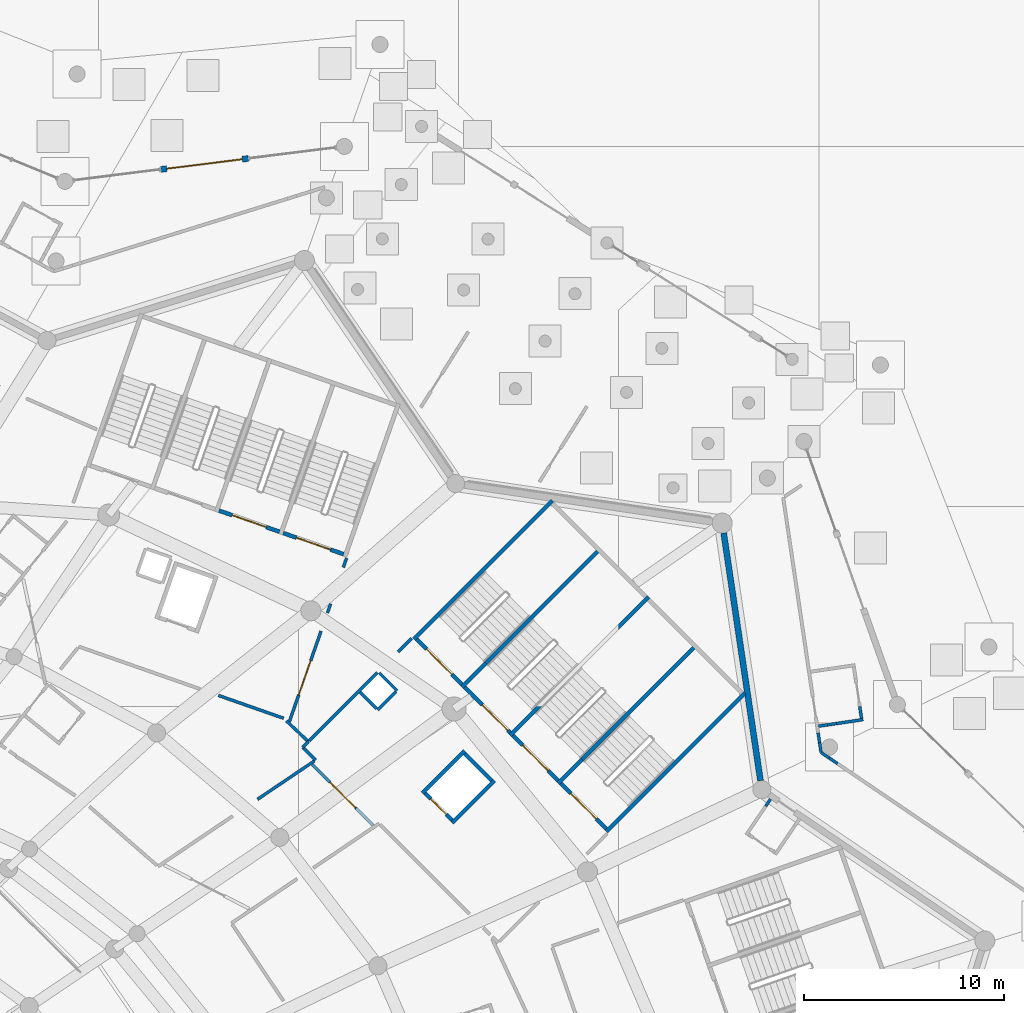
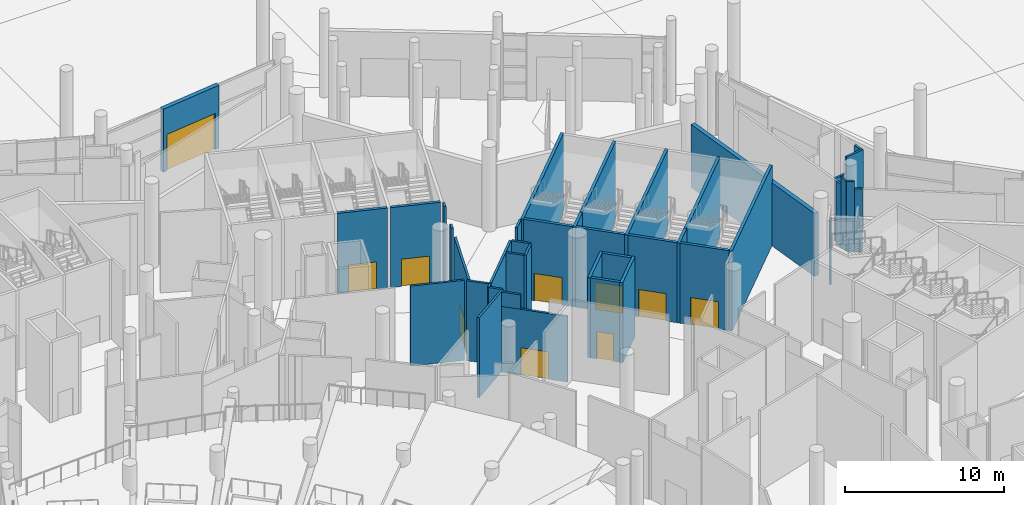
# One storey, part 155 of 255: 43 walls, 10 doors, 10 openings.
"""IFC4 building model written with IfcOpenShell, lengths in metres."""

from ifc_helpers import new_model, si_unit, direction, frame, frame_2d, origin, place, context, subcontext, project, spatial, rectangle, extrude, material, layer, layer_set, type_object, element, fill, save


model = new_model("IFC4")

# Units and contexts
model_context = context("Model", 3, precision=1e-05, world=origin(), true_north=direction((0.0, 1.0)))
body_context = subcontext(model_context, "Body", "Model", "MODEL_VIEW")
ifc_project = project(units=[si_unit("LENGTHUNIT", "METRE"), si_unit("AREAUNIT", "SQUARE_METRE"), si_unit("VOLUMEUNIT", "CUBIC_METRE"), si_unit("PLANEANGLEUNIT", "RADIAN"), si_unit("MASSUNIT", "GRAM", prefix="KILO")], contexts=[model_context])

# Site, building, storey
site_placement = place(None, origin())
site = spatial("IfcSite", under=ifc_project, at=site_placement, CompositionType="ELEMENT")
building_placement = place(site_placement, origin())
building = spatial("IfcBuilding", under=site, at=building_placement, Name="Meseta Stadium", CompositionType="ELEMENT")
storey_placement = place(building_placement, origin())
storey = spatial("IfcBuildingStorey", under=building, at=storey_placement, Name="L00", CompositionType="ELEMENT", Elevation=0.0)

# Walls
ifc_material_1 = material(Name="Concrete C40/50", Category="concrete")
ifc_layer_1 = layer(ifc_material_1, 0.199951171875)
ifc_layer_set_1 = layer_set([ifc_layer_1], Name="Core divider wall 200")
wall_type_1 = type_object("IfcWallType", Name="Core divider wall 200", PredefinedType="SHEAR", material=ifc_layer_set_1)
wall_1_placement = place(storey_placement, frame((83.90087890625, 83.092529296875, 0.0), z_axis=(0.0, 0.0, 1.0), x_axis=(-0.707106781187, -0.707106781187, 0.0)))
element("IfcWall", 1, at=wall_1_placement, inside=storey, type_object=wall_type_1, Name="Core 07 L00 stair A divider wall", PredefinedType="SHEAR", context=body_context, shape_type="SweptSolid", body=[
    extrude(rectangle(XDim=8.099853515625, YDim=0.199951171875, at=frame_2d((4.0498046875, 0.0))), origin(), (0.0, 0.0, 1.0), 6.14990234375),
])
wall_2_placement = place(storey_placement, frame((78.17333984375, 77.364990234375, 0.0), z_axis=(0.0, 0.0, 1.0), x_axis=(-0.707178586901, -0.707034968179, 0.0)))
element("IfcWall", 2, at=wall_2_placement, inside=storey, type_object=wall_type_1, Name="Core 07 L00 stair A divider wall", PredefinedType="SHEAR", context=body_context, shape_type="SweptSolid", body=[
    extrude(rectangle(XDim=1.699951171875, YDim=0.199951171875, at=frame_2d((0.85009765625, 0.0))), origin(), (0.0, 0.0, 1.0), 6.14990234375),
])
wall_3_placement = place(storey_placement, frame((79.092529296875, 87.90087890625, 0.0), z_axis=(0.0, 0.0, 1.0), x_axis=(-0.707106781187, -0.707106781187, 0.0)))
element("IfcWall", 3, at=wall_3_placement, inside=storey, type_object=wall_type_1, Name="Core 07 L00 stair B divider wall", PredefinedType="SHEAR", context=body_context, shape_type="SweptSolid", body=[
    extrude(rectangle(XDim=8.099853515625, YDim=0.199951171875, at=frame_2d((4.0498046875, 0.0))), origin(), (0.0, 0.0, 1.0), 6.14990234375),
])
wall_4_placement = place(storey_placement, frame((73.364990234375, 82.17333984375, 0.0), z_axis=(0.0, 0.0, 1.0), x_axis=(-0.707034968179, -0.707178586901, 0.0)))
element("IfcWall", 4, at=wall_4_placement, inside=storey, type_object=wall_type_1, Name="Core 07 L00 stair B divider wall", PredefinedType="SHEAR", context=body_context, shape_type="SweptSolid", body=[
    extrude(rectangle(XDim=1.699951171875, YDim=0.199951171875, at=frame_2d((0.85009765625, 0.0))), origin(), (0.0, 0.0, 1.0), 6.14990234375),
])
ifc_material_2 = material(Name="Concrete C40/50", Category="concrete")
ifc_layer_2 = layer(ifc_material_2, 0.199951171875)
ifc_layer_set_2 = layer_set([ifc_layer_2], Name="Core shaft wall 200")
wall_type_2 = type_object("IfcWallType", Name="Core shaft wall 200", PredefinedType="SHEAR", material=ifc_layer_set_2)
for number, where, z_axis, x_axis, name in (
    (5, (86.30517578125, 80.6884765625, 0.0), (0.0, 0.0, 1.0), (-0.707106781187, -0.707106781187, 0.0), "Core 07 L00 stair wall A-side"),
    (6, (81.496826171875, 85.496826171875, 0.0), (0.0, 0.0, 1.0), (-0.707106781187, -0.707106781187, 0.0), "Core 07 L00 stair wall shared"),
    (7, (76.6884765625, 90.30517578125, 0.0), (0.0, 0.0, 1.0), (-0.707106781187, -0.707106781187, 0.0), "Core 07 L00 stair wall B-side"),
):
    element("IfcWall", number, at=place(storey_placement, frame(where, z_axis=z_axis, x_axis=x_axis)), inside=storey, type_object=wall_type_2, Name=name, PredefinedType="SHEAR", context=body_context, shape_type="SweptSolid", body=[
        extrude(rectangle(XDim=9.800048828125, YDim=0.199951171875, at=frame_2d((4.89990234375, 0.0))), origin(), (0.0, 0.0, 1.0), 6.14990234375),
    ])

# Wall, opening, door
wall_5_placement = place(storey_placement, frame((79.37548828125, 73.900146484375, 0.0), z_axis=(0.0, 0.0, 1.0), x_axis=(-0.707068634461, 0.707144925854, 0.0)))
wall_5 = element("IfcWall", 8, at=wall_5_placement, inside=storey, type_object=wall_type_2, Name="Core 07 L00 stair A1 inner end wall", PredefinedType="SHEAR", context=body_context, shape_type="SweptSolid", body=[
    extrude(rectangle(XDim=3.2001953125, YDim=0.199951171875, at=frame_2d((1.60009765625, 0.0))), origin(), (0.0, 0.0, 1.0), 6.14990234375),
])
opening_1_placement = place(wall_5_placement, frame((0.699951171875, 0.0, 0.0)))
opening_1 = element("IfcOpeningElement", 9, at=opening_1_placement, cuts=wall_5, Name="Opening D107", PredefinedType="OPENING", context=body_context, shape_type="SweptSolid", body=[
    extrude(rectangle(XDim=1.800048828125, YDim=2.10009765625, at=frame_2d((0.89990234375, 1.050048828125))), frame((0.0, 0.10986328125, 0.0), z_axis=(0.0, -1.0, 0.0), x_axis=(1.0, 0.0, 0.0)), (0.0, 0.0, 1.0), 0.219970703125),
])
ifc_material_3 = material(Name="Steel", Category="steel")
door_type_1 = type_object("IfcDoorType", Name="Stair door 1800x2100", OperationType="DOUBLE_DOOR_SINGLE_SWING", PredefinedType="DOOR", material=ifc_material_3)
door_1_placement = place(opening_1_placement, origin())
door_1 = element("IfcDoor", 10, at=door_1_placement, inside=storey, type_object=door_type_1, Name="Stair A1 door 07 L00", OperationType="DOUBLE_DOOR_SINGLE_SWING", OverallHeight=2.10009765625, OverallWidth=1.800048828125, PredefinedType="DOOR", context=body_context, shape_type="SweptSolid", body=[
    extrude(rectangle(XDim=1.800048828125, YDim=2.10009765625, at=frame_2d((0.89990234375, 1.050048828125))), frame((0.0, 0.02490234375, 0.0), z_axis=(0.0, -1.0, 0.0), x_axis=(1.0, 0.0, 0.0)), (0.0, 0.0, 1.0), 0.050048828125),
])
fill(opening_1, door_1)

wall_6_placement = place(storey_placement, frame((76.97119140625, 76.304443359375, 0.0), z_axis=(0.0, 0.0, 1.0), x_axis=(-0.707106781187, 0.707106781187, 0.0)))
wall_6 = element("IfcWall", 11, at=wall_6_placement, inside=storey, type_object=wall_type_2, Name="Core 07 L00 stair A2 inner end wall", PredefinedType="SHEAR", context=body_context, shape_type="SweptSolid", body=[
    extrude(rectangle(XDim=3.199951171875, YDim=0.199951171875, at=frame_2d((1.60009765625, 0.0))), origin(), (0.0, 0.0, 1.0), 6.14990234375),
])
opening_2_placement = place(wall_6_placement, frame((0.699951171875, 0.0, 0.0)))
opening_2 = element("IfcOpeningElement", 12, at=opening_2_placement, cuts=wall_6, Name="Opening D108", PredefinedType="OPENING", context=body_context, shape_type="SweptSolid", body=[
    extrude(rectangle(XDim=1.800048828125, YDim=2.10009765625, at=frame_2d((0.89990234375, 1.050048828125))), frame((0.0, 0.10986328125, 0.0), z_axis=(0.0, -1.0, 0.0), x_axis=(1.0, 0.0, 0.0)), (0.0, 0.0, 1.0), 0.219970703125),
])
door_2_placement = place(opening_2_placement, origin())
door_2 = element("IfcDoor", 13, at=door_2_placement, inside=storey, type_object=door_type_1, Name="Stair A2 door 07 L00", OperationType="DOUBLE_DOOR_SINGLE_SWING", OverallHeight=2.10009765625, OverallWidth=1.800048828125, PredefinedType="DOOR", context=body_context, shape_type="SweptSolid", body=[
    extrude(rectangle(XDim=1.800048828125, YDim=2.10009765625, at=frame_2d((0.89990234375, 1.050048828125))), frame((0.0, 0.02490234375, 0.0), z_axis=(0.0, -1.0, 0.0), x_axis=(1.0, 0.0, 0.0)), (0.0, 0.0, 1.0), 0.050048828125),
])
fill(opening_2, door_2)

wall_7_placement = place(storey_placement, frame((74.567138671875, 78.70849609375, 0.0), z_axis=(0.0, 0.0, 1.0), x_axis=(-0.707106781187, 0.707106781187, 0.0)))
wall_7 = element("IfcWall", 14, at=wall_7_placement, inside=storey, type_object=wall_type_2, Name="Core 07 L00 stair B1 inner end wall", PredefinedType="SHEAR", context=body_context, shape_type="SweptSolid", body=[
    extrude(rectangle(XDim=3.199951171875, YDim=0.199951171875, at=frame_2d((1.60009765625, 0.0))), origin(), (0.0, 0.0, 1.0), 6.14990234375),
])
opening_3_placement = place(wall_7_placement, frame((0.14990234375, 0.0, 0.0)))
opening_3 = element("IfcOpeningElement", 15, at=opening_3_placement, cuts=wall_7, Name="Opening D109", PredefinedType="OPENING", context=body_context, shape_type="SweptSolid", body=[
    extrude(rectangle(XDim=1.800048828125, YDim=2.10009765625, at=frame_2d((0.89990234375, 1.050048828125))), frame((0.0, 0.10986328125, 0.0), z_axis=(0.0, -1.0, 0.0), x_axis=(1.0, 0.0, 0.0)), (0.0, 0.0, 1.0), 0.219970703125),
])
door_3_placement = place(opening_3_placement, origin())
door_3 = element("IfcDoor", 16, at=door_3_placement, inside=storey, type_object=door_type_1, Name="Stair B1 door 07 L00", OperationType="DOUBLE_DOOR_SINGLE_SWING", OverallHeight=2.10009765625, OverallWidth=1.800048828125, PredefinedType="DOOR", context=body_context, shape_type="SweptSolid", body=[
    extrude(rectangle(XDim=1.800048828125, YDim=2.10009765625, at=frame_2d((0.89990234375, 1.050048828125))), frame((0.0, 0.02490234375, 0.0), z_axis=(0.0, -1.0, 0.0), x_axis=(1.0, 0.0, 0.0)), (0.0, 0.0, 1.0), 0.050048828125),
])
fill(opening_3, door_3)

wall_8_placement = place(storey_placement, frame((72.1630859375, 81.11279296875, 0.0), z_axis=(0.0, 0.0, 1.0), x_axis=(-0.707144925854, 0.707068634461, 0.0)))
wall_8 = element("IfcWall", 17, at=wall_8_placement, inside=storey, type_object=wall_type_2, Name="Core 07 L00 stair B2 inner end wall", PredefinedType="SHEAR", context=body_context, shape_type="SweptSolid", body=[
    extrude(rectangle(XDim=3.2001953125, YDim=0.199951171875, at=frame_2d((1.60009765625, 0.0))), origin(), (0.0, 0.0, 1.0), 6.14990234375),
])
opening_4_placement = place(wall_8_placement, frame((0.699951171875, 0.0, 0.0)))
opening_4 = element("IfcOpeningElement", 18, at=opening_4_placement, cuts=wall_8, Name="Opening D110", PredefinedType="OPENING", context=body_context, shape_type="SweptSolid", body=[
    extrude(rectangle(XDim=1.800048828125, YDim=2.10009765625, at=frame_2d((0.89990234375, 1.050048828125))), frame((0.0, 0.10986328125, 0.0), z_axis=(0.0, -1.0, 0.0), x_axis=(1.0, 0.0, 0.0)), (0.0, 0.0, 1.0), 0.219970703125),
])
door_4_placement = place(opening_4_placement, origin())
door_4 = element("IfcDoor", 19, at=door_4_placement, inside=storey, type_object=door_type_1, Name="Stair B2 door 07 L00", OperationType="DOUBLE_DOOR_SINGLE_SWING", OverallHeight=2.10009765625, OverallWidth=1.800048828125, PredefinedType="DOOR", context=body_context, shape_type="SweptSolid", body=[
    extrude(rectangle(XDim=1.800048828125, YDim=2.10009765625, at=frame_2d((0.89990234375, 1.050048828125))), frame((0.0, 0.02490234375, 0.0), z_axis=(0.0, -1.0, 0.0), x_axis=(1.0, 0.0, 0.0)), (0.0, 0.0, 1.0), 0.050048828125),
])
fill(opening_4, door_4)

# Walls
for number, where, z_axis, x_axis, name in (
    (20, (73.796875, 76.311767578125, 0.0), (0.0, 0.0, 1.0), (-0.707106781187, -0.707106781187, 0.0), "Core 07 L00 lift shaft wall left"),
    (21, (72.311767578125, 77.796875, 0.0), (0.0, 0.0, 1.0), (-0.707106781187, -0.707106781187, 0.0), "Core 07 L00 lift shaft wall right"),
):
    element("IfcWall", number, at=place(storey_placement, frame(where, z_axis=z_axis, x_axis=x_axis)), inside=storey, type_object=wall_type_2, Name=name, PredefinedType="SHEAR", context=body_context, shape_type="SweptSolid", body=[
        extrude(rectangle(XDim=3.0, YDim=0.199951171875, at=frame_2d((1.5, 0.0))), origin(), (0.0, 0.0, 1.0), 6.14990234375),
    ])
wall_9_placement = place(storey_placement, frame((73.655517578125, 76.311767578125, 0.0), z_axis=(0.0, 0.0, 1.0), x_axis=(-0.707106781187, 0.707106781187, 0.0)))
element("IfcWall", 22, at=wall_9_placement, inside=storey, type_object=wall_type_2, Name="Core 07 L00 lift shaft back wall", PredefinedType="SHEAR", context=body_context, shape_type="SweptSolid", body=[
    extrude(rectangle(XDim=1.900390625, YDim=0.199951171875, at=frame_2d((0.9501953125, 0.0))), origin(), (0.0, 0.0, 1.0), 6.14990234375),
])

# Wall, opening, door
wall_10_placement = place(storey_placement, frame((71.675537109375, 74.331787109375, 0.0), z_axis=(0.0, 0.0, 1.0), x_axis=(-0.707106781187, 0.707106781187, 0.0)))
wall_10 = element("IfcWall", 23, at=wall_10_placement, inside=storey, type_object=wall_type_2, Name="Core 07 L00 lift shaft front wall", PredefinedType="SHEAR", context=body_context, shape_type="SweptSolid", body=[
    extrude(rectangle(XDim=1.900390625, YDim=0.199951171875, at=frame_2d((0.9501953125, 0.0))), origin(), (0.0, 0.0, 1.0), 6.14990234375),
])
opening_5_placement = place(wall_10_placement, frame((0.39990234375, 0.0, 0.0)))
opening_5 = element("IfcOpeningElement", 24, at=opening_5_placement, cuts=wall_10, Name="Opening LD38", PredefinedType="OPENING", context=body_context, shape_type="SweptSolid", body=[
    extrude(rectangle(XDim=1.10009765625, YDim=2.10009765625, at=frame_2d((0.550048828125, 1.050048828125))), frame((0.0, 0.10986328125, 0.0), z_axis=(0.0, -1.0, 0.0), x_axis=(1.0, 0.0, 0.0)), (0.0, 0.0, 1.0), 0.219970703125),
])
ifc_material_4 = material(Name="Steel", Category="steel")
door_type_2 = type_object("IfcDoorType", Name="Lift landing door 1100x2100", OperationType="SLIDING_TO_LEFT", PredefinedType="DOOR", material=ifc_material_4)
door_5_placement = place(opening_5_placement, origin())
door_5 = element("IfcDoor", 25, at=door_5_placement, inside=storey, type_object=door_type_2, Name="Lift landing door LD38", OperationType="SLIDING_TO_RIGHT", OverallHeight=2.10009765625, OverallWidth=1.10009765625, PredefinedType="DOOR", context=body_context, shape_type="SweptSolid", body=[
    extrude(rectangle(XDim=1.10009765625, YDim=2.10009765625, at=frame_2d((0.550048828125, 1.050048828125))), frame((0.0, 0.02490234375, 0.0), z_axis=(0.0, -1.0, 0.0), x_axis=(1.0, 0.0, 0.0)), (0.0, 0.0, 1.0), 0.050048828125),
])
fill(opening_5, door_5)

wall_11_placement = place(storey_placement, frame((66.26171875, 87.618896484375, 0.0), z_axis=(0.0, 0.0, 1.0), x_axis=(-0.943878576031, 0.330292648585, 0.0)))
wall_11 = element("IfcWall", 26, at=wall_11_placement, inside=storey, type_object=wall_type_2, Name="Core 08 L00 stair A1 inner end wall", PredefinedType="SHEAR", context=body_context, shape_type="SweptSolid", body=[
    extrude(rectangle(XDim=3.199951171875, YDim=0.199951171875, at=frame_2d((1.60009765625, 0.0))), origin(), (0.0, 0.0, 1.0), 6.14990234375),
])
opening_6_placement = place(wall_11_placement, frame((0.699951171875, 0.0, 0.0)))
opening_6 = element("IfcOpeningElement", 27, at=opening_6_placement, cuts=wall_11, Name="Opening D119", PredefinedType="OPENING", context=body_context, shape_type="SweptSolid", body=[
    extrude(rectangle(XDim=1.800048828125, YDim=2.10009765625, at=frame_2d((0.89990234375, 1.050048828125))), frame((0.0, 0.10986328125, 0.0), z_axis=(0.0, -1.0, 0.0), x_axis=(1.0, 0.0, 0.0)), (0.0, 0.0, 1.0), 0.219970703125),
])
door_6_placement = place(opening_6_placement, origin())
door_6 = element("IfcDoor", 28, at=door_6_placement, inside=storey, type_object=door_type_1, Name="Stair A1 door 08 L00", OperationType="DOUBLE_DOOR_SINGLE_SWING", OverallHeight=2.10009765625, OverallWidth=1.800048828125, PredefinedType="DOOR", context=body_context, shape_type="SweptSolid", body=[
    extrude(rectangle(XDim=1.800048828125, YDim=2.10009765625, at=frame_2d((0.89990234375, 1.050048828125))), frame((0.0, 0.02490234375, 0.0), z_axis=(0.0, -1.0, 0.0), x_axis=(1.0, 0.0, 0.0)), (0.0, 0.0, 1.0), 0.050048828125),
])
fill(opening_6, door_6)

wall_12_placement = place(storey_placement, frame((63.052490234375, 88.741943359375, 0.0), z_axis=(0.0, 0.0, 1.0), x_axis=(-0.943878576031, 0.330292648585, 0.0)))
wall_12 = element("IfcWall", 29, at=wall_12_placement, inside=storey, type_object=wall_type_2, Name="Core 08 L00 stair A2 inner end wall", PredefinedType="SHEAR", context=body_context, shape_type="SweptSolid", body=[
    extrude(rectangle(XDim=3.199951171875, YDim=0.199951171875, at=frame_2d((1.60009765625, 0.0))), origin(), (0.0, 0.0, 1.0), 6.14990234375),
])
opening_7_placement = place(wall_12_placement, frame((0.699951171875, 0.0, 0.0)))
opening_7 = element("IfcOpeningElement", 30, at=opening_7_placement, cuts=wall_12, Name="Opening D120", PredefinedType="OPENING", context=body_context, shape_type="SweptSolid", body=[
    extrude(rectangle(XDim=1.800048828125, YDim=2.10009765625, at=frame_2d((0.89990234375, 1.050048828125))), frame((0.0, 0.10986328125, 0.0), z_axis=(0.0, -1.0, 0.0), x_axis=(1.0, 0.0, 0.0)), (0.0, 0.0, 1.0), 0.219970703125),
])
door_7_placement = place(opening_7_placement, origin())
door_7 = element("IfcDoor", 31, at=door_7_placement, inside=storey, type_object=door_type_1, Name="Stair A2 door 08 L00", OperationType="DOUBLE_DOOR_SINGLE_SWING", OverallHeight=2.10009765625, OverallWidth=1.800048828125, PredefinedType="DOOR", context=body_context, shape_type="SweptSolid", body=[
    extrude(rectangle(XDim=1.800048828125, YDim=2.10009765625, at=frame_2d((0.89990234375, 1.050048828125))), frame((0.0, 0.02490234375, 0.0), z_axis=(0.0, -1.0, 0.0), x_axis=(1.0, 0.0, 0.0)), (0.0, 0.0, 1.0), 0.050048828125),
])
fill(opening_7, door_7)

# Walls
ifc_material_5 = material(Name="Masonry blockwork", Category="masonry")
ifc_layer_3 = layer(ifc_material_5, 0.14990234375)
ifc_layer_set_3 = layer_set([ifc_layer_3], Name="Partition 150")
wall_type_3 = type_object("IfcWallType", Name="Partition 150", PredefinedType="PARTITIONING", material=ifc_layer_set_3)
wall_13_placement = place(storey_placement, frame((60.00634765625, 80.5625, 0.0), z_axis=(0.0, 0.0, 1.0), x_axis=(0.943866077076, -0.33032836473, 0.0)))
element("IfcWall", 32, at=wall_13_placement, inside=storey, type_object=wall_type_3, Name="Partition L00 L00-cell06-1-0", PredefinedType="PARTITIONING", context=body_context, shape_type="SweptSolid", body=[
    extrude(rectangle(XDim=3.45068359375, YDim=0.14990234375, at=frame_2d((1.725341796875, 0.0))), origin(), (0.0, 0.0, 1.0), 6.14990234375),
])
wall_14_placement = place(storey_placement, frame((63.396240234375, 79.296630859375, 0.0), z_axis=(0.0, 0.0, 1.0), x_axis=(0.725626624964, -0.688088657909, 0.0)))
element("IfcWall", 33, at=wall_14_placement, inside=storey, type_object=wall_type_3, Name="Partition L00 L00-cell06-1-0", PredefinedType="PARTITIONING", context=body_context, shape_type="SweptSolid", body=[
    extrude(rectangle(XDim=1.515380859375, YDim=0.14990234375, at=frame_2d((0.7578125, 0.0))), origin(), (0.0, 0.0, 1.0), 6.14990234375),
])
wall_15_placement = place(storey_placement, frame((64.495849609375, 78.25390625, 0.0), z_axis=(0.0, 0.0, 1.0), x_axis=(-0.706798874946, -0.707414553409, 0.0)))
element("IfcWall", 34, at=wall_15_placement, inside=storey, type_object=wall_type_3, Name="Partition L00 L00-cell06-1-0", PredefinedType="PARTITIONING", context=body_context, shape_type="SweptSolid", body=[
    extrude(rectangle(XDim=0.396484375, YDim=0.14990234375, at=frame_2d((0.1982421875, 0.0))), origin(), (0.0, 0.0, 1.0), 6.14990234375),
])
wall_16_placement = place(storey_placement, frame((64.215576171875, 77.973388671875, 0.0), z_axis=(0.0, 0.0, 1.0), x_axis=(0.707106781187, -0.707106781187, 0.0)))
element("IfcWall", 35, at=wall_16_placement, inside=storey, type_object=wall_type_3, Name="Partition L00 L00-cell06-1-0", PredefinedType="PARTITIONING", context=body_context, shape_type="SweptSolid", body=[
    extrude(rectangle(XDim=0.907470703125, YDim=0.14990234375, at=frame_2d((0.45361328125, 0.0))), origin(), (0.0, 0.0, 1.0), 6.14990234375),
])
wall_17_placement = place(storey_placement, frame((64.793701171875, 77.2890625, 0.0), z_axis=(0.0, 0.0, 1.0), x_axis=(-0.828829640135, -0.559501052397, 0.0)))
element("IfcWall", 36, at=wall_17_placement, inside=storey, type_object=wall_type_3, Name="Partition L00 L00-cell06-1-0", PredefinedType="PARTITIONING", context=body_context, shape_type="SweptSolid", body=[
    extrude(rectangle(XDim=3.420166015625, YDim=0.14990234375, at=frame_2d((1.7099609375, 0.0))), origin(), (0.0, 0.0, 1.0), 6.14990234375),
])

# Wall, opening, door
wall_18_placement = place(storey_placement, frame((63.53857421875, 79.230712890625, 0.0), z_axis=(0.0, 0.0, 1.0), x_axis=(0.330262441411, 0.943889145924, 0.0)))
wall_18 = element("IfcWall", 37, at=wall_18_placement, inside=storey, type_object=wall_type_3, Name="Partition L00 L00-cell06-2-0", PredefinedType="PARTITIONING", context=body_context, shape_type="SweptSolid", body=[
    extrude(rectangle(XDim=4.820556640625, YDim=0.14990234375, at=frame_2d((2.41015625, 0.0))), origin(), (0.0, 0.0, 1.0), 6.14990234375),
])
opening_8_placement = place(wall_18_placement, frame((1.449951171875, 0.0, 0.0)))
opening_8 = element("IfcOpeningElement", 38, at=opening_8_placement, cuts=wall_18, Name="Opening D554", PredefinedType="OPENING", context=body_context, shape_type="SweptSolid", body=[
    extrude(rectangle(XDim=1.800048828125, YDim=2.10009765625, at=frame_2d((0.89990234375, 1.050048828125))), frame((0.0, 0.0849609375, 0.0), z_axis=(0.0, -1.0, 0.0), x_axis=(1.0, 0.0, 0.0)), (0.0, 0.0, 1.0), 0.169921875),
])
ifc_material_6 = material(Name="Timber", Category="wood")
door_type_3 = type_object("IfcDoorType", Name="Room double door 1800x2100", OperationType="DOUBLE_DOOR_SINGLE_SWING", PredefinedType="DOOR", material=ifc_material_6)
door_8_placement = place(opening_8_placement, origin())
door_8 = element("IfcDoor", 39, at=door_8_placement, inside=storey, type_object=door_type_3, Name="Door D554", OperationType="DOUBLE_DOOR_SINGLE_SWING", OverallHeight=2.10009765625, OverallWidth=1.800048828125, PredefinedType="DOOR", context=body_context, shape_type="SweptSolid", body=[
    extrude(rectangle(XDim=1.800048828125, YDim=2.10009765625, at=frame_2d((0.89990234375, 1.050048828125))), frame((0.0, 0.02490234375, 0.0), z_axis=(0.0, -1.0, 0.0), x_axis=(1.0, 0.0, 0.0)), (0.0, 0.0, 1.0), 0.050048828125),
])
fill(opening_8, door_8)

# Walls
wall_19_placement = place(storey_placement, frame((65.44921875, 84.69091796875, 0.0), z_axis=(0.0, 0.0, 1.0), x_axis=(0.330327857248, 0.943866254681, 0.0)))
element("IfcWall", 40, at=wall_19_placement, inside=storey, type_object=wall_type_3, Name="Partition L00 L00-cell06-2-0", PredefinedType="PARTITIONING", context=body_context, shape_type="SweptSolid", body=[
    extrude(rectangle(XDim=0.48193359375, YDim=0.14990234375, at=frame_2d((0.240966796875, 0.0))), origin(), (0.0, 0.0, 1.0), 6.14990234375),
])
wall_20_placement = place(storey_placement, frame((66.2451171875, 86.9658203125, 0.0), z_axis=(0.0, 0.0, 1.0), x_axis=(0.330169965897, 0.943921497594, 0.0)))
element("IfcWall", 41, at=wall_20_placement, inside=storey, type_object=wall_type_3, Name="Partition L00 L00-cell06-2-0", PredefinedType="PARTITIONING", context=body_context, shape_type="SweptSolid", body=[
    extrude(rectangle(XDim=0.482177734375, YDim=0.14990234375, at=frame_2d((0.2412109375, 0.0))), origin(), (0.0, 0.0, 1.0), 6.14990234375),
])
wall_21_placement = place(storey_placement, frame((69.659912109375, 83.41796875, 0.0), z_axis=(0.0, 0.0, 1.0), x_axis=(-0.706980568466, -0.707232971383, 0.0)))
element("IfcWall", 42, at=wall_21_placement, inside=storey, type_object=wall_type_3, Name="Partition L00 L00-cell06-2-0", PredefinedType="PARTITIONING", context=body_context, shape_type="SweptSolid", body=[
    extrude(rectangle(XDim=0.96728515625, YDim=0.14990234375, at=frame_2d((0.483642578125, 0.0))), origin(), (0.0, 0.0, 1.0), 6.14990234375),
])
wall_22_placement = place(storey_placement, frame((67.9501953125, 81.708251953125, 0.0), z_axis=(0.0, 0.0, 1.0), x_axis=(-0.707106781187, -0.707106781187, 0.0)))
element("IfcWall", 43, at=wall_22_placement, inside=storey, type_object=wall_type_3, Name="Partition L00 L00-cell06-2-0", PredefinedType="PARTITIONING", context=body_context, shape_type="SweptSolid", body=[
    extrude(rectangle(XDim=4.835205078125, YDim=0.14990234375, at=frame_2d((2.41748046875, 0.0))), origin(), (0.0, 0.0, 1.0), 6.14990234375),
])
wall_23_placement = place(storey_placement, frame((90.933349609375, 77.1572265625, 0.0), z_axis=(0.0, 0.0, 1.0), x_axis=(-0.827646697141, 0.561249449632, 0.0)))
element("IfcWall", 44, at=wall_23_placement, inside=storey, type_object=wall_type_3, Name="Partition L00 L00-ring05-0", PredefinedType="PARTITIONING", context=body_context, shape_type="SweptSolid", body=[
    extrude(rectangle(XDim=0.49755859375, YDim=0.14990234375, at=frame_2d((0.248779296875, 0.0))), origin(), (0.0, 0.0, 1.0), 4.85009765625),
])
wall_24_placement = place(storey_placement, frame((90.521484375, 77.4365234375, 0.0), z_axis=(0.0, 0.0, 1.0), x_axis=(-0.827264021837, 0.561813348163, 0.0)))
element("IfcWall", 45, at=wall_24_placement, inside=storey, type_object=wall_type_3, Name="Partition L00 L00-ring05-0", PredefinedType="PARTITIONING", context=body_context, shape_type="SweptSolid", body=[
    extrude(rectangle(XDim=0.49755859375, YDim=0.14990234375, at=frame_2d((0.248779296875, 0.0))), origin(), (0.0, 0.0, 1.0), 5.39990234375),
])
wall_25_placement = place(storey_placement, frame((90.10986328125, 77.716064453125, 0.0), z_axis=(0.0, 0.0, 1.0), x_axis=(-0.146941800407, 0.98914513965, 0.0)))
element("IfcWall", 46, at=wall_25_placement, inside=storey, type_object=wall_type_3, Name="Partition L00 L00-ring05-0", PredefinedType="PARTITIONING", context=body_context, shape_type="SweptSolid", body=[
    extrude(rectangle(XDim=0.4951171875, YDim=0.14990234375, at=frame_2d((0.24755859375, 0.0))), origin(), (0.0, 0.0, 1.0), 5.39990234375),
])
wall_26_placement = place(storey_placement, frame((90.037109375, 78.205810546875, 0.0), z_axis=(0.0, 0.0, 1.0), x_axis=(-0.146941800407, 0.98914513965, 0.0)))
element("IfcWall", 47, at=wall_26_placement, inside=storey, type_object=wall_type_3, Name="Partition L00 L00-ring05-0", PredefinedType="PARTITIONING", context=body_context, shape_type="SweptSolid", body=[
    extrude(rectangle(XDim=0.4951171875, YDim=0.14990234375, at=frame_2d((0.24755859375, 0.0))), origin(), (0.0, 0.0, 1.0), 4.85009765625),
])
wall_27_placement = place(storey_placement, frame((68.917724609375, 80.802001953125, 0.0), z_axis=(0.0, 0.0, 1.0), x_axis=(-0.707106781187, 0.707106781187, 0.0)))
element("IfcWall", 48, at=wall_27_placement, inside=storey, type_object=wall_type_3, Name="Pressurisation shaft wall L00 core 07", PredefinedType="PARTITIONING", context=body_context, shape_type="SweptSolid", body=[
    extrude(rectangle(XDim=1.248779296875, YDim=0.14990234375, at=frame_2d((0.62451171875, 0.0))), origin(), (0.0, 0.0, 1.0), 6.14990234375),
])
wall_28_placement = place(storey_placement, frame((67.080078125, 80.73046875, 0.0), z_axis=(0.0, 0.0, 1.0), x_axis=(0.707106781187, -0.707106781187, 0.0)))
element("IfcWall", 49, at=wall_28_placement, inside=storey, type_object=wall_type_3, Name="Pressurisation shaft wall L00 core 07", PredefinedType="PARTITIONING", context=body_context, shape_type="SweptSolid", body=[
    extrude(rectangle(XDim=1.173828125, YDim=0.14990234375, at=frame_2d((0.5869140625, 0.0))), origin(), (0.0, 0.0, 1.0), 6.14990234375),
])
wall_29_placement = place(storey_placement, frame((67.963134765625, 79.847412109375, 0.0), z_axis=(0.0, 0.0, 1.0), x_axis=(0.707202523759, 0.707011025648, 0.0)))
element("IfcWall", 50, at=wall_29_placement, inside=storey, type_object=wall_type_3, Name="Pressurisation shaft wall L00 core 07", PredefinedType="PARTITIONING", context=body_context, shape_type="SweptSolid", body=[
    extrude(rectangle(XDim=1.27490234375, YDim=0.14990234375, at=frame_2d((0.637451171875, 0.0))), origin(), (0.0, 0.0, 1.0), 6.14990234375),
])
wall_30_placement = place(storey_placement, frame((87.58349609375, 75.3818359375, 0.0), z_axis=(0.0, 0.0, 1.0), x_axis=(-0.560973683664, -0.827833634395, 0.0)))
element("IfcWall", 51, at=wall_30_placement, inside=storey, type_object=wall_type_3, Name="Partition L00 L00-cell05-2-0 vestibule", PredefinedType="PARTITIONING", context=body_context, shape_type="SweptSolid", body=[
    extrude(rectangle(XDim=0.429931640625, YDim=0.14990234375, at=frame_2d((0.21484375, 0.0))), origin(), (0.0, 0.0, 1.0), 4.85009765625),
])
for number, where, z_axis, x_axis, name in (
    (52, (89.990966796875, 79.028076171875, 0.0), (0.0, 0.0, 1.0), (0.989209288441, 0.14650932961, 0.0), "Partition L00 L00-ring05-0 vestibule"),
    (53, (90.43603515625, 79.093994140625, 0.0), (0.0, 0.0, 1.0), (0.98913051014, 0.147040245885, 0.0), "Partition L00 L00-ring05-0 vestibule"),
):
    element("IfcWall", number, at=place(storey_placement, frame(where, z_axis=z_axis, x_axis=x_axis)), inside=storey, type_object=wall_type_3, Name=name, PredefinedType="PARTITIONING", context=body_context, shape_type="SweptSolid", body=[
        extrude(rectangle(XDim=0.449951171875, YDim=0.14990234375, at=frame_2d((0.22509765625, 0.0))), origin(), (0.0, 0.0, 1.0), 4.85009765625),
    ])
wall_31_placement = place(storey_placement, frame((90.881103515625, 79.16015625, 0.0), z_axis=(0.0, 0.0, 1.0), x_axis=(0.989160699863, 0.146837017969, 0.0)))
element("IfcWall", 54, at=wall_31_placement, inside=storey, type_object=wall_type_3, Name="Partition L00 L00-ring05-0 vestibule", PredefinedType="PARTITIONING", context=body_context, shape_type="SweptSolid", body=[
    extrude(rectangle(XDim=1.35009765625, YDim=0.14990234375, at=frame_2d((0.675048828125, 0.0))), origin(), (0.0, 0.0, 1.0), 6.10009765625),
])
wall_32_placement = place(storey_placement, frame((92.13134765625, 79.421630859375, 0.0), z_axis=(0.0, 0.0, 1.0), x_axis=(-0.146887819725, 0.989153157209, 0.0)))
element("IfcWall", 55, at=wall_32_placement, inside=storey, type_object=wall_type_3, Name="Partition L00 L00-ring05-0 vestibule", PredefinedType="PARTITIONING", context=body_context, shape_type="SweptSolid", body=[
    extrude(rectangle(XDim=0.60009765625, YDim=0.14990234375, at=frame_2d((0.300048828125, 0.0))), origin(), (0.0, 0.0, 1.0), 6.10009765625),
])

# Wall, opening, door
wall_33_placement = place(storey_placement, frame((67.729248046875, 74.07080078125, 0.0), z_axis=(0.0, 0.0, 1.0), x_axis=(-0.707106781187, 0.707106781187, 0.0)))
wall_33 = element("IfcWall", 56, at=wall_33_placement, inside=storey, type_object=wall_type_3, Name="Escape corridor sector wall L00 core 07", PredefinedType="PARTITIONING", context=body_context, shape_type="SweptSolid", body=[
    extrude(rectangle(XDim=4.29833984375, YDim=0.14990234375, at=frame_2d((2.149169921875, 0.0))), origin(), (0.0, 0.0, 1.0), 5.050048828125),
])
opening_9_placement = place(wall_33_placement, frame((1.25, 0.0, 0.0)))
opening_9 = element("IfcOpeningElement", 57, at=opening_9_placement, cuts=wall_33, Name="Opening D411", PredefinedType="OPENING", context=body_context, shape_type="SweptSolid", body=[
    extrude(rectangle(XDim=1.800048828125, YDim=2.10009765625, at=frame_2d((0.89990234375, 1.050048828125))), frame((0.0, 0.0849609375, 0.0), z_axis=(0.0, -1.0, 0.0), x_axis=(1.0, 0.0, 0.0)), (0.0, 0.0, 1.0), 0.169921875),
])
ifc_material_7 = material(Name="Steel", Category="steel")
door_type_4 = type_object("IfcDoorType", Name="Fire double door 1800x2100 EI2 60", OperationType="DOUBLE_DOOR_SINGLE_SWING", PredefinedType="DOOR", material=ifc_material_7)
door_9_placement = place(opening_9_placement, origin())
door_9 = element("IfcDoor", 58, at=door_9_placement, inside=storey, type_object=door_type_4, Name="Escape corridor door EC07-1", OperationType="DOUBLE_DOOR_SINGLE_SWING", OverallHeight=2.10009765625, OverallWidth=1.800048828125, PredefinedType="DOOR", context=body_context, shape_type="SweptSolid", body=[
    extrude(rectangle(XDim=1.800048828125, YDim=2.10009765625, at=frame_2d((0.89990234375, 1.050048828125))), frame((0.0, 0.02490234375, 0.0), z_axis=(0.0, -1.0, 0.0), x_axis=(1.0, 0.0, 0.0)), (0.0, 0.0, 1.0), 0.050048828125),
])
fill(opening_9, door_9)

# Walls
wall_34_placement = place(storey_placement, frame((65.55859375, 76.241455078125, 5.050048828125), z_axis=(0.0, 0.0, 1.0), x_axis=(-0.707106781187, 0.707106781187, 0.0)))
element("IfcWall", 59, at=wall_34_placement, inside=storey, type_object=wall_type_3, Name="Escape corridor sector wall L00 core 07", PredefinedType="PARTITIONING", context=body_context, shape_type="SweptSolid", body=[
    extrude(rectangle(XDim=1.228515625, YDim=0.14990234375, at=frame_2d((0.6142578125, 0.0))), origin(), (0.0, 0.0, 1.0), 1.099853515625),
])
ifc_material_8 = material(Name="White precast concrete C40/50", Category="concrete")
ifc_layer_4 = layer(ifc_material_8, 0.300048828125)
ifc_layer_set_4 = layer_set([ifc_layer_4], Name="Pleated panel wall 300 concourse")
wall_type_4 = type_object("IfcWallType", Name="Pleated panel wall 300 concourse", PredefinedType="SOLIDWALL", material=ifc_layer_set_4)
wall_35_placement = place(storey_placement, frame((85.2470703125, 88.6796875, 0.0), z_axis=(0.0, 0.0, 1.0), x_axis=(0.14684632149, -0.989159318747, 0.0)))
element("IfcWall", 60, at=wall_35_placement, inside=storey, type_object=wall_type_4, Name="Pleated facade panel L00 F11", PredefinedType="SOLIDWALL", context=body_context, shape_type="SweptSolid", body=[
    extrude(rectangle(XDim=12.51416015625, YDim=0.300048828125, at=frame_2d((6.257080078125, 0.0))), origin(), (0.0, 0.0, 1.0), 4.85009765625),
])

# Wall, opening, door
ifc_material_9 = material(Name="Precast concrete C40/50", Category="concrete")
ifc_layer_5 = layer(ifc_material_9, 0.300048828125)
ifc_layer_set_5 = layer_set([ifc_layer_5], Name="Ring facade panel wall 300")
wall_type_5 = type_object("IfcWallType", Name="Ring facade panel wall 300", PredefinedType="SOLIDWALL", material=ifc_layer_set_5)
wall_36_placement = place(storey_placement, frame((57.13134765625, 106.843994140625, 0.0), z_axis=(0.0, 0.0, 1.0), x_axis=(0.992266775423, 0.124123512645, 0.0)))
wall_36 = element("IfcWall", 61, at=wall_36_placement, inside=storey, type_object=wall_type_5, Name="Ring facade panel wall F14", PredefinedType="SOLIDWALL", context=body_context, shape_type="SweptSolid", body=[
    extrude(rectangle(XDim=4.39990234375, YDim=0.300048828125, at=frame_2d((2.199951171875, 0.0))), origin(), (0.0, 0.0, 1.0), 4.85009765625),
])
opening_10_placement = place(wall_36_placement, frame((0.300048828125, 0.0, 0.0)))
opening_10 = element("IfcOpeningElement", 62, at=opening_10_placement, cuts=wall_36, Name="Opening D942", PredefinedType="OPENING", context=body_context, shape_type="SweptSolid", body=[
    extrude(rectangle(XDim=3.800048828125, YDim=2.800048828125, at=frame_2d((1.89990234375, 1.39990234375))), frame((0.0, 0.159912109375, 0.0), z_axis=(0.0, -1.0, 0.0), x_axis=(1.0, 0.0, 0.0)), (0.0, 0.0, 1.0), 0.320068359375),
])
ifc_material_10 = material(Name="Steel", Category="steel")
door_type_5 = type_object("IfcDoorType", Name="Final exit door 3800x2800", OperationType="DOUBLE_DOOR_SINGLE_SWING", PredefinedType="DOOR", material=ifc_material_10)
door_10_placement = place(opening_10_placement, origin())
door_10 = element("IfcDoor", 63, at=door_10_placement, inside=storey, type_object=door_type_5, Name="Final exit F7", OperationType="DOUBLE_DOOR_SINGLE_SWING", OverallHeight=2.800048828125, OverallWidth=3.800048828125, PredefinedType="DOOR", context=body_context, shape_type="SweptSolid", body=[
    extrude(rectangle(XDim=3.800048828125, YDim=2.800048828125, at=frame_2d((1.89990234375, 1.39990234375))), frame((0.0, 0.02490234375, 0.0), z_axis=(0.0, -1.0, 0.0), x_axis=(1.0, 0.0, 0.0)), (0.0, 0.0, 1.0), 0.050048828125),
])
fill(opening_10, door_10)

save(model, "model.ifc")
